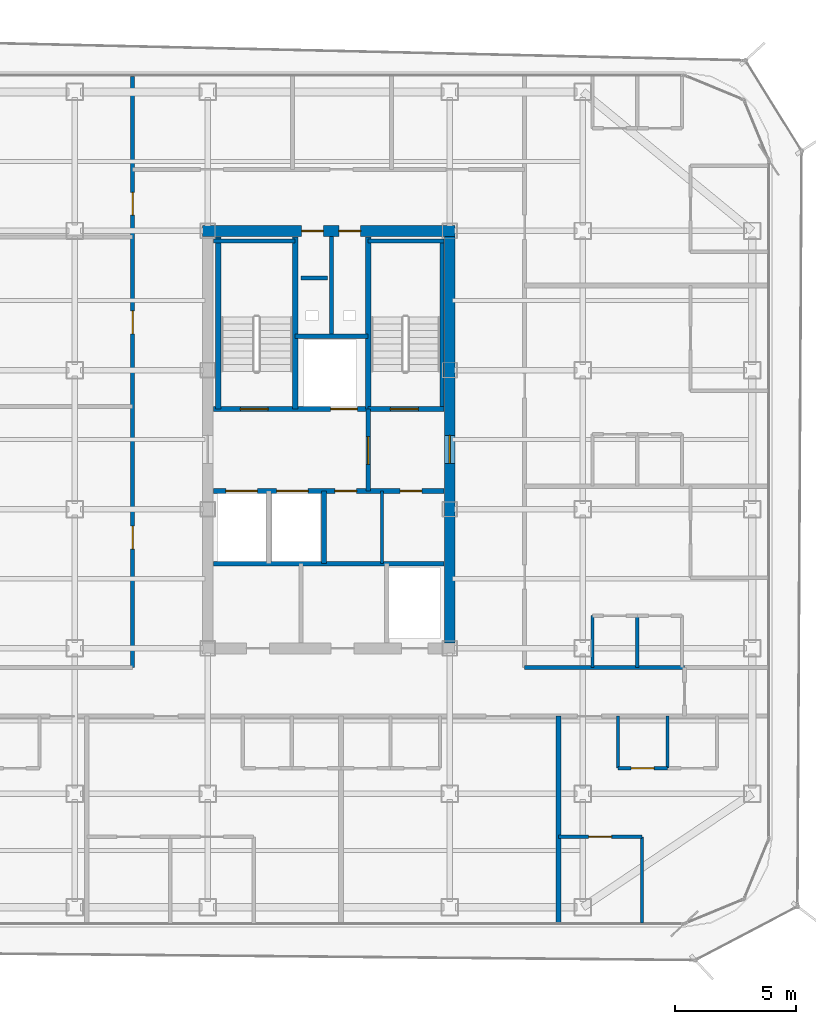
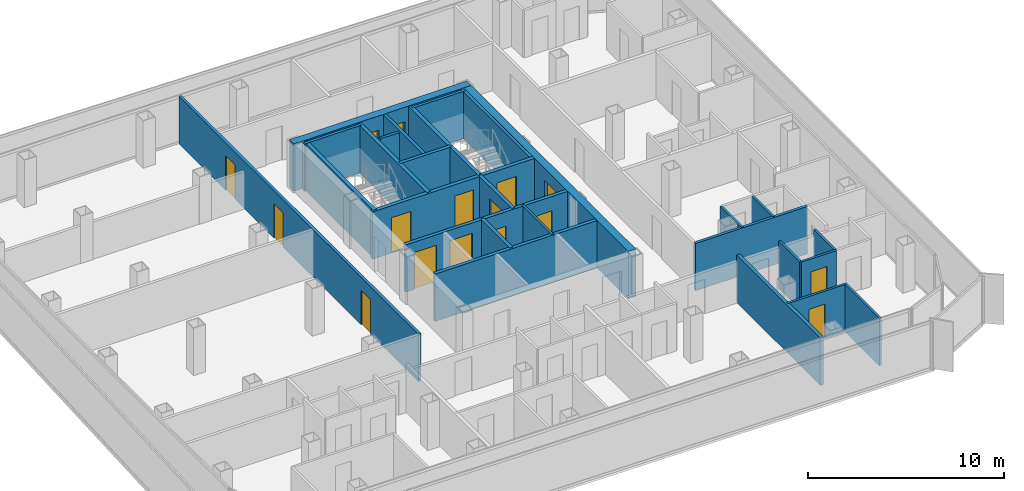
# One storey, part 11 of 16: 28 walls, 16 doors, 16 openings.
"""IFC4 building model written with IfcOpenShell, lengths in metres."""

from ifc_helpers import new_model, si_unit, direction, frame, frame_2d, origin, place, context, subcontext, project, spatial, rectangle, extrude, material, layer, layer_set, type_object, element, fill, save


model = new_model("IFC4")

# Units and contexts
model_context = context("Model", 3, precision=1e-05, world=origin(), true_north=direction((0.0, 1.0)))
body_context = subcontext(model_context, "Body", "Model", "MODEL_VIEW")
ifc_project = project(units=[si_unit("LENGTHUNIT", "METRE"), si_unit("AREAUNIT", "SQUARE_METRE"), si_unit("VOLUMEUNIT", "CUBIC_METRE"), si_unit("PLANEANGLEUNIT", "RADIAN"), si_unit("MASSUNIT", "GRAM", prefix="KILO")], contexts=[model_context])

# Site, building, storey
site_placement = place(None, origin())
site = spatial("IfcSite", under=ifc_project, at=site_placement, CompositionType="ELEMENT")
building_placement = place(site_placement, origin())
building = spatial("IfcBuilding", under=site, at=building_placement, Name="Kolveth Station Tower", CompositionType="ELEMENT")
storey_placement = place(building_placement, frame((0.0, 0.0, 178.5)))
storey = spatial("IfcBuildingStorey", under=building, at=storey_placement, Name="L50", CompositionType="ELEMENT", Elevation=178.5)

# Wall, openings, doors
ifc_material_1 = material(Name="Concrete C50/60", Category="concrete")
ifc_layer_1 = layer(ifc_material_1, 0.449951171875)
ifc_layer_set_1 = layer_set([ifc_layer_1], Name="Concrete C50/60")
wall_type_1 = type_object("IfcWallType", Name="Wall_CW-450", PredefinedType="SHEAR", material=ifc_layer_set_1)
wall_1_placement = place(storey_placement, frame((18.27490234375, 28.75, 0.0), z_axis=(0.0, 0.0, 1.0), x_axis=(1.0, 0.0, 0.0)))
wall_1 = element("IfcWall", 1, at=wall_1_placement, inside=storey, type_object=wall_type_1, Name="L50 Core RC Shear Wall N", PredefinedType="SHEAR", context=body_context, shape_type="SweptSolid", body=[
    extrude(rectangle(XDim=10.4501953125, YDim=0.449951171875, at=frame_2d((5.22509765625, 0.0))), origin(), (0.0, 0.0, 1.0), 2.949951171875),
])
opening_1_placement = place(wall_1_placement, frame((4.10498046875, 0.0, 0.0)))
opening_1 = element("IfcOpeningElement", 2, at=opening_1_placement, cuts=wall_1, Name="Opening RD1", PredefinedType="OPENING", context=body_context, shape_type="SweptSolid", body=[
    extrude(rectangle(XDim=0.89990234375, YDim=2.050048828125, at=frame_2d((0.449951171875, 1.02490234375))), frame((0.0, 0.23486328125, 0.0), z_axis=(0.0, -1.0, 0.0), x_axis=(1.0, 0.0, 0.0)), (0.0, 0.0, 1.0), 0.469970703125),
])
opening_2_placement = place(wall_1_placement, frame((5.64501953125, 0.0, 0.0)))
opening_2 = element("IfcOpeningElement", 3, at=opening_2_placement, cuts=wall_1, Name="Opening RD1", PredefinedType="OPENING", context=body_context, shape_type="SweptSolid", body=[
    extrude(rectangle(XDim=0.89990234375, YDim=2.050048828125, at=frame_2d((0.449951171875, 1.02490234375))), frame((0.0, 0.23486328125, 0.0), z_axis=(0.0, -1.0, 0.0), x_axis=(1.0, 0.0, 0.0)), (0.0, 0.0, 1.0), 0.469970703125),
])
ifc_material_2 = material(Name="Fire-rated Steel S355 riser access leaf", Category="steel")
door_type_1 = type_object("IfcDoorType", Name="Door_RD1", OperationType="NOTDEFINED", PredefinedType="DOOR", material=ifc_material_2)
door_1_placement = place(opening_1_placement, origin())
door_1 = element("IfcDoor", 4, at=door_1_placement, inside=storey, type_object=door_type_1, Name="L50 Electrical Riser Access Door", OperationType="SINGLE_SWING_LEFT", OverallHeight=2.050048828125, OverallWidth=0.89990234375, PredefinedType="DOOR", context=body_context, shape_type="SweptSolid", body=[
    extrude(rectangle(XDim=0.89990234375, YDim=2.050048828125, at=frame_2d((0.449951171875, 1.02490234375))), frame((0.0, 0.02490234375, 0.0), z_axis=(0.0, -1.0, 0.0), x_axis=(1.0, 0.0, 0.0)), (0.0, 0.0, 1.0), 0.050048828125),
])
fill(opening_1, door_1)
door_2_placement = place(opening_2_placement, origin())
door_2 = element("IfcDoor", 5, at=door_2_placement, inside=storey, type_object=door_type_1, Name="L50 Smoke Duct Access Door", OperationType="SINGLE_SWING_RIGHT", OverallHeight=2.050048828125, OverallWidth=0.89990234375, PredefinedType="DOOR", context=body_context, shape_type="SweptSolid", body=[
    extrude(rectangle(XDim=0.89990234375, YDim=2.050048828125, at=frame_2d((0.449951171875, 1.02490234375))), frame((0.0, 0.02490234375, 0.0), z_axis=(0.0, -1.0, 0.0), x_axis=(1.0, 0.0, 0.0)), (0.0, 0.0, 1.0), 0.050048828125),
])
fill(opening_2, door_2)

# Wall, opening, door
wall_2_placement = place(storey_placement, frame((28.5, 11.72509765625, 0.0), z_axis=(0.0, 0.0, 1.0), x_axis=(0.0, 1.0, 0.0)))
wall_2 = element("IfcWall", 6, at=wall_2_placement, inside=storey, type_object=wall_type_1, Name="L50 Core RC Shear Wall E", PredefinedType="SHEAR", context=body_context, shape_type="SweptSolid", body=[
    extrude(rectangle(XDim=16.7998046875, YDim=0.449951171875, at=frame_2d((8.39990234375, 0.0))), origin(), (0.0, 0.0, 1.0), 2.949951171875),
])
opening_3_placement = place(wall_2_placement, frame((7.425048828125, 0.0, 0.0)))
opening_3 = element("IfcOpeningElement", 7, at=opening_3_placement, cuts=wall_2, Name="Opening FD1", PredefinedType="OPENING", context=body_context, shape_type="SweptSolid", body=[
    extrude(rectangle(XDim=1.14990234375, YDim=2.199951171875, at=frame_2d((0.574951171875, 1.10009765625))), frame((0.0, 0.23486328125, 0.0), z_axis=(0.0, -1.0, 0.0), x_axis=(1.0, 0.0, 0.0)), (0.0, 0.0, 1.0), 0.469970703125),
])
ifc_material_3 = material(Name="Fire-rated Steel S355 leaf and frame", Category="steel")
door_type_2 = type_object("IfcDoorType", Name="Door_FD1", OperationType="NOTDEFINED", PredefinedType="DOOR", material=ifc_material_3)
door_3_placement = place(opening_3_placement, origin())
door_3 = element("IfcDoor", 8, at=door_3_placement, inside=storey, type_object=door_type_2, Name="L50 East Corridor to Stair Lobby Door", OperationType="SINGLE_SWING_LEFT", OverallHeight=2.199951171875, OverallWidth=1.14990234375, PredefinedType="DOOR", context=body_context, shape_type="SweptSolid", body=[
    extrude(rectangle(XDim=1.14990234375, YDim=2.199951171875, at=frame_2d((0.574951171875, 1.10009765625))), frame((0.0, 0.02490234375, 0.0), z_axis=(0.0, -1.0, 0.0), x_axis=(1.0, 0.0, 0.0)), (0.0, 0.0, 1.0), 0.050048828125),
])
fill(opening_3, door_3)

# Wall
ifc_material_4 = material(Name="Moisture-resistant gypsum partition")
ifc_layer_2 = layer(ifc_material_4, 0.135009765625)
ifc_layer_set_2 = layer_set([ifc_layer_2], Name="Moisture-resistant gypsum partition")
wall_type_2 = type_object("IfcWallType", Name="Wall_IW-135", PredefinedType="PARTITIONING", material=ifc_layer_set_2)
wall_3_placement = place(storey_placement, frame((25.699951171875, 15.0, 0.0), z_axis=(0.0, 0.0, 1.0), x_axis=(0.0, 1.0, 0.0)))
element("IfcWall", 9, at=wall_3_placement, inside=storey, type_object=wall_type_2, Name="L50 Partition Wall WL-L50-CB-V1", PredefinedType="PARTITIONING", context=body_context, shape_type="SweptSolid", body=[
    extrude(rectangle(XDim=3.0, YDim=0.135009765625, at=frame_2d((1.5, 0.0))), origin(), (0.0, 0.0, 1.0), 2.949951171875),
])

# Wall, opening, door
wall_4_placement = place(storey_placement, frame((35.449951171875, 6.550048828125, 0.0), z_axis=(0.0, 0.0, 1.0), x_axis=(1.0, 0.0, 0.0)))
wall_4 = element("IfcWall", 10, at=wall_4_placement, inside=storey, type_object=wall_type_2, Name="L50 Partition Wall WL-L50-A4-IBHK", PredefinedType="PARTITIONING", context=body_context, shape_type="SweptSolid", body=[
    extrude(rectangle(XDim=2.050048828125, YDim=0.135009765625, at=frame_2d((1.02490234375, 0.0))), origin(), (0.0, 0.0, 1.0), 2.949951171875),
])
opening_4_placement = place(wall_4_placement, frame((0.544921875, 0.0, 0.0)))
opening_4 = element("IfcOpeningElement", 11, at=opening_4_placement, cuts=wall_4, Name="Opening ID1", PredefinedType="OPENING", context=body_context, shape_type="SweptSolid", body=[
    extrude(rectangle(XDim=0.949951171875, YDim=2.14990234375, at=frame_2d((0.47509765625, 1.074951171875))), frame((0.0, 0.077392578125, 0.0), z_axis=(0.0, -1.0, 0.0), x_axis=(1.0, 0.0, 0.0)), (0.0, 0.0, 1.0), 0.155029296875),
])
ifc_material_5 = material(Name="Acoustic hardwood leaf and aluminium frame", Category="wood")
door_type_3 = type_object("IfcDoorType", Name="Door_ID1", OperationType="NOTDEFINED", PredefinedType="DOOR", material=ifc_material_5)
door_4_placement = place(opening_4_placement, origin())
door_4 = element("IfcDoor", 12, at=door_4_placement, inside=storey, type_object=door_type_3, Name="Flat L50-A4 Kitchen Door", OperationType="SINGLE_SWING_LEFT", OverallHeight=2.14990234375, OverallWidth=0.949951171875, PredefinedType="DOOR", context=body_context, shape_type="SweptSolid", body=[
    extrude(rectangle(XDim=0.949951171875, YDim=2.14990234375, at=frame_2d((0.47509765625, 1.074951171875))), frame((0.0, 0.02490234375, 0.0), z_axis=(0.0, -1.0, 0.0), x_axis=(1.0, 0.0, 0.0)), (0.0, 0.0, 1.0), 0.050048828125),
])
fill(opening_4, door_4)

# Walls
for number, where, z_axis, x_axis, name in (
    (13, (35.449951171875, 6.550048828125, 0.0), (0.0, 0.0, 1.0), (0.0, 1.0, 0.0), "L50 Partition Wall WL-L50-A4-IBV0"),
    (14, (37.5, 6.550048828125, 0.0), (0.0, 0.0, 1.0), (0.0, 1.0, 0.0), "L50 Partition Wall WL-L50-A4-IBV1"),
):
    element("IfcWall", number, at=place(storey_placement, frame(where, z_axis=z_axis, x_axis=x_axis)), inside=storey, type_object=wall_type_2, Name=name, PredefinedType="PARTITIONING", context=body_context, shape_type="SweptSolid", body=[
        extrude(rectangle(XDim=2.14990234375, YDim=0.135009765625, at=frame_2d((1.074951171875, 0.0))), origin(), (0.0, 0.0, 1.0), 2.949951171875),
    ])
wall_5_placement = place(storey_placement, frame((36.449951171875, 0.159912109375, 0.0), z_axis=(0.0, 0.0, 1.0), x_axis=(0.0, 1.0, 0.0)))
element("IfcWall", 15, at=wall_5_placement, inside=storey, type_object=wall_type_2, Name="L50 Partition Wall WL-L50-A4-BDVE", PredefinedType="PARTITIONING", context=body_context, shape_type="SweptSolid", body=[
    extrude(rectangle(XDim=3.550048828125, YDim=0.135009765625, at=frame_2d((1.77490234375, 0.0))), origin(), (0.0, 0.0, 1.0), 2.949951171875),
])

# Wall, opening, door
wall_6_placement = place(storey_placement, frame((33.0, 3.7099609375, 0.0), z_axis=(0.0, 0.0, 1.0), x_axis=(1.0, 0.0, 0.0)))
wall_6 = element("IfcWall", 16, at=wall_6_placement, inside=storey, type_object=wall_type_2, Name="L50 Partition Wall WL-L50-A4-BDH1", PredefinedType="PARTITIONING", context=body_context, shape_type="SweptSolid", body=[
    extrude(rectangle(XDim=3.449951171875, YDim=0.135009765625, at=frame_2d((1.72509765625, 0.0))), origin(), (0.0, 0.0, 1.0), 2.949951171875),
])
opening_5_placement = place(wall_6_placement, frame((1.2451171875, 0.0, 0.0)))
opening_5 = element("IfcOpeningElement", 17, at=opening_5_placement, cuts=wall_6, Name="Opening ID1", PredefinedType="OPENING", context=body_context, shape_type="SweptSolid", body=[
    extrude(rectangle(XDim=0.949951171875, YDim=2.14990234375, at=frame_2d((0.47509765625, 1.074951171875))), frame((0.0, 0.077392578125, 0.0), z_axis=(0.0, -1.0, 0.0), x_axis=(1.0, 0.0, 0.0)), (0.0, 0.0, 1.0), 0.155029296875),
])
door_5_placement = place(opening_5_placement, frame((0.949951171875, 0.0, 0.0), z_axis=(0.0, 0.0, 1.0), x_axis=(-1.0, 0.0, 0.0)))
door_5 = element("IfcDoor", 18, at=door_5_placement, inside=storey, type_object=door_type_3, Name="Flat L50-A4 Bedroom 1 Door", OperationType="SINGLE_SWING_LEFT", OverallHeight=2.14990234375, OverallWidth=0.949951171875, PredefinedType="DOOR", context=body_context, shape_type="SweptSolid", body=[
    extrude(rectangle(XDim=0.949951171875, YDim=2.14990234375, at=frame_2d((0.47509765625, 1.074951171875))), frame((0.0, 0.02490234375, 0.0), z_axis=(0.0, -1.0, 0.0), x_axis=(1.0, 0.0, 0.0)), (0.0, 0.0, 1.0), 0.050048828125),
])
fill(opening_5, door_5)

# Walls
for number, where, z_axis, x_axis, name in (
    (19, (34.39990234375, 10.699951171875, 0.0), (0.0, 0.0, 1.0), (0.0, 1.0, 0.0), "L50 Partition Wall WL-L50-E1-IBV0"),
    (20, (36.25, 10.699951171875, 0.0), (0.0, 0.0, 1.0), (0.0, 1.0, 0.0), "L50 Partition Wall WL-L50-E1-IBV1"),
):
    element("IfcWall", number, at=place(storey_placement, frame(where, z_axis=z_axis, x_axis=x_axis)), inside=storey, type_object=wall_type_2, Name=name, PredefinedType="PARTITIONING", context=body_context, shape_type="SweptSolid", body=[
        extrude(rectangle(XDim=2.150146484375, YDim=0.135009765625, at=frame_2d((1.0751953125, 0.0))), origin(), (0.0, 0.0, 1.0), 2.949951171875),
    ])
ifc_material_6 = material(Name="Acoustic double-stud gypsum partition")
ifc_layer_3 = layer(ifc_material_6, 0.1650390625)
ifc_layer_set_3 = layer_set([ifc_layer_3], Name="Acoustic double-stud gypsum partition")
wall_type_3 = type_object("IfcWallType", Name="Wall_IW-165", PredefinedType="PARTITIONING", material=ifc_layer_set_3)
wall_7_placement = place(storey_placement, frame((18.735107421875, 28.3349609375, 0.0), z_axis=(0.0, 0.0, 1.0), x_axis=(1.0, 0.0, 0.0)))
element("IfcWall", 21, at=wall_7_placement, inside=storey, type_object=wall_type_3, Name="L50 Stair Shaft Wall WL-L50-ST1-N", PredefinedType="PARTITIONING", context=body_context, shape_type="SweptSolid", body=[
    extrude(rectangle(XDim=3.375, YDim=0.1650390625, at=frame_2d((1.6875, 0.0))), origin(), (0.0, 0.0, 1.0), 2.949951171875),
])
wall_8_placement = place(storey_placement, frame((25.1298828125, 28.3349609375, 0.0), z_axis=(0.0, 0.0, 1.0), x_axis=(1.0, 0.0, 0.0)))
element("IfcWall", 22, at=wall_8_placement, inside=storey, type_object=wall_type_3, Name="L50 Stair Shaft Wall WL-L50-ST2-N", PredefinedType="PARTITIONING", context=body_context, shape_type="SweptSolid", body=[
    extrude(rectangle(XDim=3.135009765625, YDim=0.1650390625, at=frame_2d((1.5673828125, 0.0))), origin(), (0.0, 0.0, 1.0), 2.949951171875),
])
wall_9_placement = place(storey_placement, frame((28.1826171875, 21.389892578125, 0.0), z_axis=(0.0, 0.0, 1.0), x_axis=(0.0, 1.0, 0.0)))
element("IfcWall", 23, at=wall_9_placement, inside=storey, type_object=wall_type_3, Name="L50 Stair Shaft Wall WL-L50-ST2-E", PredefinedType="PARTITIONING", context=body_context, shape_type="SweptSolid", body=[
    extrude(rectangle(XDim=6.945068359375, YDim=0.1650390625, at=frame_2d((3.47265625, 0.0))), origin(), (0.0, 0.0, 1.0), 2.949951171875),
])
wall_10_placement = place(storey_placement, frame((23.6201171875, 24.39990234375, 0.0), z_axis=(0.0, 0.0, 1.0), x_axis=(0.0, 1.0, 0.0)))
element("IfcWall", 24, at=wall_10_placement, inside=storey, type_object=wall_type_3, Name="L50 Partition Wall WL-L50-RSR-M", PredefinedType="PARTITIONING", context=body_context, shape_type="SweptSolid", body=[
    extrude(rectangle(XDim=4.114990234375, YDim=0.1650390625, at=frame_2d((2.0576171875, 0.0))), origin(), (0.0, 0.0, 1.0), 2.949951171875),
])
wall_11_placement = place(storey_placement, frame((31.60009765625, 10.699951171875, 0.0), z_axis=(0.0, 0.0, 1.0), x_axis=(1.0, 0.0, 0.0)))
element("IfcWall", 25, at=wall_11_placement, inside=storey, type_object=wall_type_3, Name="L50 Partition Wall WL-L50-RSET", PredefinedType="PARTITIONING", context=body_context, shape_type="SweptSolid", body=[
    extrude(rectangle(XDim=6.599853515625, YDim=0.1650390625, at=frame_2d((3.2998046875, 0.0))), origin(), (0.0, 0.0, 1.0), 2.949951171875),
])

# Wall, openings, doors
wall_12_placement = place(storey_placement, frame((15.39990234375, 10.699951171875, 0.0), z_axis=(0.0, 0.0, 1.0), x_axis=(0.0, 1.0, 0.0)))
wall_12 = element("IfcWall", 26, at=wall_12_placement, inside=storey, type_object=wall_type_3, Name="L50 Partition Wall WL-L50-RW", PredefinedType="PARTITIONING", context=body_context, shape_type="SweptSolid", body=[
    extrude(rectangle(XDim=24.43994140625, YDim=0.1650390625, at=frame_2d((12.219970703125, 0.0))), origin(), (0.0, 0.0, 1.0), 2.949951171875),
])
opening_6_placement = place(wall_12_placement, frame((4.89990234375, 0.0, 0.0)))
opening_6 = element("IfcOpeningElement", 27, at=opening_6_placement, cuts=wall_12, Name="Opening ID1", PredefinedType="OPENING", context=body_context, shape_type="SweptSolid", body=[
    extrude(rectangle(XDim=0.949951171875, YDim=2.14990234375, at=frame_2d((0.47509765625, 1.074951171875))), frame((0.0, 0.092529296875, 0.0), z_axis=(0.0, -1.0, 0.0), x_axis=(1.0, 0.0, 0.0)), (0.0, 0.0, 1.0), 0.18505859375),
])
opening_7_placement = place(wall_12_placement, frame((13.800048828125, 0.0, 0.0)))
opening_7 = element("IfcOpeningElement", 28, at=opening_7_placement, cuts=wall_12, Name="Opening ID1", PredefinedType="OPENING", context=body_context, shape_type="SweptSolid", body=[
    extrude(rectangle(XDim=0.949951171875, YDim=2.14990234375, at=frame_2d((0.47509765625, 1.074951171875))), frame((0.0, 0.092529296875, 0.0), z_axis=(0.0, -1.0, 0.0), x_axis=(1.0, 0.0, 0.0)), (0.0, 0.0, 1.0), 0.18505859375),
])
opening_8_placement = place(wall_12_placement, frame((18.699951171875, 0.0, 0.0)))
opening_8 = element("IfcOpeningElement", 29, at=opening_8_placement, cuts=wall_12, Name="Opening ID1", PredefinedType="OPENING", context=body_context, shape_type="SweptSolid", body=[
    extrude(rectangle(XDim=0.949951171875, YDim=2.14990234375, at=frame_2d((0.47509765625, 1.074951171875))), frame((0.0, 0.092529296875, 0.0), z_axis=(0.0, -1.0, 0.0), x_axis=(1.0, 0.0, 0.0)), (0.0, 0.0, 1.0), 0.18505859375),
])
door_6_placement = place(opening_6_placement, frame((0.949951171875, 0.0, 0.0), z_axis=(0.0, 0.0, 1.0), x_axis=(-1.0, 0.0, 0.0)))
door_6 = element("IfcDoor", 30, at=door_6_placement, inside=storey, type_object=door_type_3, Name="L50 Residents' Club Lounge Door", OperationType="SINGLE_SWING_LEFT", OverallHeight=2.14990234375, OverallWidth=0.949951171875, PredefinedType="DOOR", context=body_context, shape_type="SweptSolid", body=[
    extrude(rectangle(XDim=0.949951171875, YDim=2.14990234375, at=frame_2d((0.47509765625, 1.074951171875))), frame((0.0, 0.02490234375, 0.0), z_axis=(0.0, -1.0, 0.0), x_axis=(1.0, 0.0, 0.0)), (0.0, 0.0, 1.0), 0.050048828125),
])
fill(opening_6, door_6)
door_7_placement = place(opening_7_placement, frame((0.949951171875, 0.0, 0.0), z_axis=(0.0, 0.0, 1.0), x_axis=(-1.0, 0.0, 0.0)))
door_7 = element("IfcDoor", 31, at=door_7_placement, inside=storey, type_object=door_type_3, Name="L50 Residents' Screening Room Door", OperationType="SINGLE_SWING_RIGHT", OverallHeight=2.14990234375, OverallWidth=0.949951171875, PredefinedType="DOOR", context=body_context, shape_type="SweptSolid", body=[
    extrude(rectangle(XDim=0.949951171875, YDim=2.14990234375, at=frame_2d((0.47509765625, 1.074951171875))), frame((0.0, 0.02490234375, 0.0), z_axis=(0.0, -1.0, 0.0), x_axis=(1.0, 0.0, 0.0)), (0.0, 0.0, 1.0), 0.050048828125),
])
fill(opening_7, door_7)
door_8_placement = place(opening_8_placement, frame((0.949951171875, 0.0, 0.0), z_axis=(0.0, 0.0, 1.0), x_axis=(-1.0, 0.0, 0.0)))
door_8 = element("IfcDoor", 32, at=door_8_placement, inside=storey, type_object=door_type_3, Name="L50 Club Servery Pantry Door", OperationType="SINGLE_SWING_LEFT", OverallHeight=2.14990234375, OverallWidth=0.949951171875, PredefinedType="DOOR", context=body_context, shape_type="SweptSolid", body=[
    extrude(rectangle(XDim=0.949951171875, YDim=2.14990234375, at=frame_2d((0.47509765625, 1.074951171875))), frame((0.0, 0.02490234375, 0.0), z_axis=(0.0, -1.0, 0.0), x_axis=(1.0, 0.0, 0.0)), (0.0, 0.0, 1.0), 0.050048828125),
])
fill(opening_8, door_8)

# Walls
wall_13_placement = place(storey_placement, frame((22.35009765625, 26.800048828125, 0.0), z_axis=(0.0, 0.0, 1.0), x_axis=(1.0, 0.0, 0.0)))
element("IfcWall", 33, at=wall_13_placement, inside=storey, type_object=wall_type_3, Name="L50 Acoustic Riser Dry-Lining Wall", PredefinedType="PARTITIONING", context=body_context, shape_type="SweptSolid", body=[
    extrude(rectangle(XDim=1.099853515625, YDim=0.1650390625, at=frame_2d((0.5498046875, 0.0))), origin(), (0.0, 0.0, 1.0), 2.949951171875),
])
ifc_material_7 = material(Name="Acoustic fire-rated gypsum blockwork", Category="masonry")
ifc_layer_4 = layer(ifc_material_7, 0.199951171875)
ifc_layer_set_4 = layer_set([ifc_layer_4], Name="Acoustic fire-rated gypsum blockwork")
wall_type_4 = type_object("IfcWallType", Name="Wall_IW-200", PredefinedType="PARTITIONING", material=ifc_layer_set_4)
wall_14_placement = place(storey_placement, frame((22.110107421875, 24.39990234375, 0.0), z_axis=(0.0, 0.0, 1.0), x_axis=(1.0, 0.0, 0.0)))
element("IfcWall", 34, at=wall_14_placement, inside=storey, type_object=wall_type_4, Name="L50 Partition Wall WL-L50-RSR-S", PredefinedType="PARTITIONING", context=body_context, shape_type="SweptSolid", body=[
    extrude(rectangle(XDim=3.019775390625, YDim=0.199951171875, at=frame_2d((1.509765625, 0.0))), origin(), (0.0, 0.0, 1.0), 2.949951171875),
])

# Wall, opening, door
wall_15_placement = place(storey_placement, frame((25.1298828125, 18.0, 0.0), z_axis=(0.0, 0.0, 1.0), x_axis=(0.0, 1.0, 0.0)))
wall_15 = element("IfcWall", 35, at=wall_15_placement, inside=storey, type_object=wall_type_4, Name="L50 Partition Wall WL-L50-FFL-E", PredefinedType="PARTITIONING", context=body_context, shape_type="SweptSolid", body=[
    extrude(rectangle(XDim=3.389892578125, YDim=0.199951171875, at=frame_2d((1.69482421875, 0.0))), origin(), (0.0, 0.0, 1.0), 2.949951171875),
])
opening_9_placement = place(wall_15_placement, frame((1.10009765625, 0.0, 0.0)))
opening_9 = element("IfcOpeningElement", 36, at=opening_9_placement, cuts=wall_15, Name="Opening FD1", PredefinedType="OPENING", context=body_context, shape_type="SweptSolid", body=[
    extrude(rectangle(XDim=1.14990234375, YDim=2.199951171875, at=frame_2d((0.574951171875, 1.10009765625))), frame((0.0, 0.10986328125, 0.0), z_axis=(0.0, -1.0, 0.0), x_axis=(1.0, 0.0, 0.0)), (0.0, 0.0, 1.0), 0.219970703125),
])
door_9_placement = place(opening_9_placement, origin())
door_9 = element("IfcDoor", 37, at=door_9_placement, inside=storey, type_object=door_type_2, Name="L50 Firefighting to Stair Lobby Door", OperationType="SINGLE_SWING_RIGHT", OverallHeight=2.199951171875, OverallWidth=1.14990234375, PredefinedType="DOOR", context=body_context, shape_type="SweptSolid", body=[
    extrude(rectangle(XDim=1.14990234375, YDim=2.199951171875, at=frame_2d((0.574951171875, 1.10009765625))), frame((0.0, 0.02490234375, 0.0), z_axis=(0.0, -1.0, 0.0), x_axis=(1.0, 0.0, 0.0)), (0.0, 0.0, 1.0), 0.050048828125),
])
fill(opening_9, door_9)

# Wall, openings, doors
wall_16_placement = place(storey_placement, frame((18.735107421875, 18.0, 0.0), z_axis=(0.0, 0.0, 1.0), x_axis=(1.0, 0.0, 0.0)))
wall_16 = element("IfcWall", 38, at=wall_16_placement, inside=storey, type_object=wall_type_4, Name="L50 Partition Wall WL-L50-FFL-S", PredefinedType="PARTITIONING", context=body_context, shape_type="SweptSolid", body=[
    extrude(rectangle(XDim=9.52978515625, YDim=0.199951171875, at=frame_2d((4.764892578125, 0.0))), origin(), (0.0, 0.0, 1.0), 2.949951171875),
])
opening_10_placement = place(wall_16_placement, frame((0.514892578125, 0.0, 0.0)))
opening_10 = element("IfcOpeningElement", 39, at=opening_10_placement, cuts=wall_16, Name="Opening LD2", PredefinedType="OPENING", context=body_context, shape_type="SweptSolid", body=[
    extrude(rectangle(XDim=1.300048828125, YDim=2.300048828125, at=frame_2d((0.64990234375, 1.14990234375))), frame((0.0, 0.10986328125, 0.0), z_axis=(0.0, -1.0, 0.0), x_axis=(1.0, 0.0, 0.0)), (0.0, 0.0, 1.0), 0.219970703125),
])
opening_11_placement = place(wall_16_placement, frame((2.614990234375, 0.0, 0.0)))
opening_11 = element("IfcOpeningElement", 40, at=opening_11_placement, cuts=wall_16, Name="Opening LD2", PredefinedType="OPENING", context=body_context, shape_type="SweptSolid", body=[
    extrude(rectangle(XDim=1.300048828125, YDim=2.300048828125, at=frame_2d((0.64990234375, 1.14990234375))), frame((0.0, 0.10986328125, 0.0), z_axis=(0.0, -1.0, 0.0), x_axis=(1.0, 0.0, 0.0)), (0.0, 0.0, 1.0), 0.219970703125),
])
opening_12_placement = place(wall_16_placement, frame((5.014892578125, 0.0, 0.0)))
opening_12 = element("IfcOpeningElement", 41, at=opening_12_placement, cuts=wall_16, Name="Opening RD1", PredefinedType="OPENING", context=body_context, shape_type="SweptSolid", body=[
    extrude(rectangle(XDim=0.89990234375, YDim=2.050048828125, at=frame_2d((0.449951171875, 1.02490234375))), frame((0.0, 0.10986328125, 0.0), z_axis=(0.0, -1.0, 0.0), x_axis=(1.0, 0.0, 0.0)), (0.0, 0.0, 1.0), 0.219970703125),
])
opening_13_placement = place(wall_16_placement, frame((7.715087890625, 0.0, 0.0)))
opening_13 = element("IfcOpeningElement", 42, at=opening_13_placement, cuts=wall_16, Name="Opening RD1", PredefinedType="OPENING", context=body_context, shape_type="SweptSolid", body=[
    extrude(rectangle(XDim=0.89990234375, YDim=2.050048828125, at=frame_2d((0.449951171875, 1.02490234375))), frame((0.0, 0.10986328125, 0.0), z_axis=(0.0, -1.0, 0.0), x_axis=(1.0, 0.0, 0.0)), (0.0, 0.0, 1.0), 0.219970703125),
])
ifc_material_8 = material(Name="Firefighting stainless steel sliding landing doors", Category="steel")
door_type_4 = type_object("IfcDoorType", Name="Door_LD2", OperationType="NOTDEFINED", PredefinedType="DOOR", material=ifc_material_8)
door_10_placement = place(opening_10_placement, origin())
door_10 = element("IfcDoor", 43, at=door_10_placement, inside=storey, type_object=door_type_4, Name="L50 Firefighting Lift FF1 Landing Door", OperationType="DOUBLE_DOOR_SLIDING", OverallHeight=2.300048828125, OverallWidth=1.300048828125, PredefinedType="DOOR", context=body_context, shape_type="SweptSolid", body=[
    extrude(rectangle(XDim=1.300048828125, YDim=2.300048828125, at=frame_2d((0.64990234375, 1.14990234375))), frame((0.0, 0.02490234375, 0.0), z_axis=(0.0, -1.0, 0.0), x_axis=(1.0, 0.0, 0.0)), (0.0, 0.0, 1.0), 0.050048828125),
])
fill(opening_10, door_10)
door_11_placement = place(opening_11_placement, origin())
door_11 = element("IfcDoor", 44, at=door_11_placement, inside=storey, type_object=door_type_4, Name="L50 Firefighting Lift FF2 Landing Door", OperationType="DOUBLE_DOOR_SLIDING", OverallHeight=2.300048828125, OverallWidth=1.300048828125, PredefinedType="DOOR", context=body_context, shape_type="SweptSolid", body=[
    extrude(rectangle(XDim=1.300048828125, YDim=2.300048828125, at=frame_2d((0.64990234375, 1.14990234375))), frame((0.0, 0.02490234375, 0.0), z_axis=(0.0, -1.0, 0.0), x_axis=(1.0, 0.0, 0.0)), (0.0, 0.0, 1.0), 0.050048828125),
])
fill(opening_11, door_11)
door_12_placement = place(opening_12_placement, frame((0.89990234375, 0.0, 0.0), z_axis=(0.0, 0.0, 1.0), x_axis=(-1.0, 0.0, 0.0)))
door_12 = element("IfcDoor", 45, at=door_12_placement, inside=storey, type_object=door_type_1, Name="L50 Core Accessible WC Door", OperationType="SINGLE_SWING_LEFT", OverallHeight=2.050048828125, OverallWidth=0.89990234375, PredefinedType="DOOR", context=body_context, shape_type="SweptSolid", body=[
    extrude(rectangle(XDim=0.89990234375, YDim=2.050048828125, at=frame_2d((0.449951171875, 1.02490234375))), frame((0.0, 0.02490234375, 0.0), z_axis=(0.0, -1.0, 0.0), x_axis=(1.0, 0.0, 0.0)), (0.0, 0.0, 1.0), 0.050048828125),
])
fill(opening_12, door_12)
door_13_placement = place(opening_13_placement, frame((0.89990234375, 0.0, 0.0), z_axis=(0.0, 0.0, 1.0), x_axis=(-1.0, 0.0, 0.0)))
door_13 = element("IfcDoor", 46, at=door_13_placement, inside=storey, type_object=door_type_1, Name="L50 Core Cleaner Store Door", OperationType="SINGLE_SWING_RIGHT", OverallHeight=2.050048828125, OverallWidth=0.89990234375, PredefinedType="DOOR", context=body_context, shape_type="SweptSolid", body=[
    extrude(rectangle(XDim=0.89990234375, YDim=2.050048828125, at=frame_2d((0.449951171875, 1.02490234375))), frame((0.0, 0.02490234375, 0.0), z_axis=(0.0, -1.0, 0.0), x_axis=(1.0, 0.0, 0.0)), (0.0, 0.0, 1.0), 0.050048828125),
])
fill(opening_13, door_13)

# Walls
wall_17_placement = place(storey_placement, frame((23.300048828125, 15.0, 0.0), z_axis=(0.0, 0.0, 1.0), x_axis=(0.0, 1.0, 0.0)))
element("IfcWall", 47, at=wall_17_placement, inside=storey, type_object=wall_type_4, Name="L50 Partition Wall WL-L50-FF2E", PredefinedType="PARTITIONING", context=body_context, shape_type="SweptSolid", body=[
    extrude(rectangle(XDim=3.0, YDim=0.199951171875, at=frame_2d((1.5, 0.0))), origin(), (0.0, 0.0, 1.0), 2.949951171875),
])
wall_18_placement = place(storey_placement, frame((18.735107421875, 15.0, 0.0), z_axis=(0.0, 0.0, 1.0), x_axis=(1.0, 0.0, 0.0)))
element("IfcWall", 48, at=wall_18_placement, inside=storey, type_object=wall_type_4, Name="L50 Partition Wall WL-L50-BOH-S", PredefinedType="PARTITIONING", context=body_context, shape_type="SweptSolid", body=[
    extrude(rectangle(XDim=9.52978515625, YDim=0.199951171875, at=frame_2d((4.764892578125, 0.0))), origin(), (0.0, 0.0, 1.0), 2.949951171875),
])
wall_19_placement = place(storey_placement, frame((33.0, 0.159912109375, 0.0), z_axis=(0.0, 0.0, 1.0), x_axis=(0.0, 1.0, 0.0)))
element("IfcWall", 49, at=wall_19_placement, inside=storey, type_object=wall_type_4, Name="L50 Partition Wall WL-L50-RSU-3", PredefinedType="PARTITIONING", context=body_context, shape_type="SweptSolid", body=[
    extrude(rectangle(XDim=8.5400390625, YDim=0.199951171875, at=frame_2d((4.27001953125, 0.0))), origin(), (0.0, 0.0, 1.0), 2.949951171875),
])
ifc_material_9 = material(Name="Concrete C40/50", Category="concrete")
ifc_layer_5 = layer(ifc_material_9, 0.219970703125)
ifc_layer_set_5 = layer_set([ifc_layer_5], Name="Concrete C40/50")
wall_type_5 = type_object("IfcWallType", Name="Wall_IW-220", PredefinedType="SOLIDWALL", material=ifc_layer_set_5)
for number, where, z_axis, x_axis, name in (
    (50, (18.929931640625, 21.389892578125, 0.0), (0.0, 0.0, 1.0), (0.0, 1.0, 0.0), "L50 Stair Shaft Wall WL-L50-ST1-W"),
    (51, (22.110107421875, 21.389892578125, 0.0), (0.0, 0.0, 1.0), (0.0, 1.0, 0.0), "L50 Stair Shaft Wall WL-L50-ST1-E"),
    (52, (25.1298828125, 21.389892578125, 0.0), (0.0, 0.0, 1.0), (0.0, 1.0, 0.0), "L50 Stair Shaft Wall WL-L50-ST2-W"),
):
    element("IfcWall", number, at=place(storey_placement, frame(where, z_axis=z_axis, x_axis=x_axis)), inside=storey, type_object=wall_type_5, Name=name, PredefinedType="SOLIDWALL", context=body_context, shape_type="SweptSolid", body=[
        extrude(rectangle(XDim=7.110107421875, YDim=0.219970703125, at=frame_2d((3.55517578125, 0.0))), origin(), (0.0, 0.0, 1.0), 2.949951171875),
    ])

# Wall, openings, doors
wall_20_placement = place(storey_placement, frame((18.735107421875, 21.389892578125, 0.0), z_axis=(0.0, 0.0, 1.0), x_axis=(1.0, 0.0, 0.0)))
wall_20 = element("IfcWall", 53, at=wall_20_placement, inside=storey, type_object=wall_type_5, Name="L50 Stair Shaft Wall WL-L50-ST1-S", PredefinedType="SOLIDWALL", context=body_context, shape_type="SweptSolid", body=[
    extrude(rectangle(XDim=6.394775390625, YDim=0.219970703125, at=frame_2d((3.197265625, 0.0))), origin(), (0.0, 0.0, 1.0), 2.949951171875),
])
opening_14_placement = place(wall_20_placement, frame((1.114990234375, 0.0, 0.0)))
opening_14 = element("IfcOpeningElement", 54, at=opening_14_placement, cuts=wall_20, Name="Opening FD1", PredefinedType="OPENING", context=body_context, shape_type="SweptSolid", body=[
    extrude(rectangle(XDim=1.14990234375, YDim=2.199951171875, at=frame_2d((0.574951171875, 1.10009765625))), frame((0.0, 0.119873046875, 0.0), z_axis=(0.0, -1.0, 0.0), x_axis=(1.0, 0.0, 0.0)), (0.0, 0.0, 1.0), 0.239990234375),
])
opening_15_placement = place(wall_20_placement, frame((4.844970703125, 0.0, 0.0)))
opening_15 = element("IfcOpeningElement", 55, at=opening_15_placement, cuts=wall_20, Name="Opening LD1", PredefinedType="OPENING", context=body_context, shape_type="SweptSolid", body=[
    extrude(rectangle(XDim=1.10009765625, YDim=2.25, at=frame_2d((0.550048828125, 1.125))), frame((0.0, 0.119873046875, 0.0), z_axis=(0.0, -1.0, 0.0), x_axis=(1.0, 0.0, 0.0)), (0.0, 0.0, 1.0), 0.239990234375),
])
door_14_placement = place(opening_14_placement, frame((1.14990234375, 0.0, 0.0), z_axis=(0.0, 0.0, 1.0), x_axis=(-1.0, 0.0, 0.0)))
door_14 = element("IfcDoor", 56, at=door_14_placement, inside=storey, type_object=door_type_2, Name="L50 Stair ST1 Fire Door", OperationType="SINGLE_SWING_RIGHT", OverallHeight=2.199951171875, OverallWidth=1.14990234375, PredefinedType="DOOR", context=body_context, shape_type="SweptSolid", body=[
    extrude(rectangle(XDim=1.14990234375, YDim=2.199951171875, at=frame_2d((0.574951171875, 1.10009765625))), frame((0.0, 0.02490234375, 0.0), z_axis=(0.0, -1.0, 0.0), x_axis=(1.0, 0.0, 0.0)), (0.0, 0.0, 1.0), 0.050048828125),
])
fill(opening_14, door_14)
ifc_material_10 = material(Name="Brushed stainless steel sliding landing doors", Category="steel")
door_type_5 = type_object("IfcDoorType", Name="Door_LD1", OperationType="NOTDEFINED", PredefinedType="DOOR", material=ifc_material_10)
door_15_placement = place(opening_15_placement, frame((1.10009765625, 0.0, 0.0), z_axis=(0.0, 0.0, 1.0), x_axis=(-1.0, 0.0, 0.0)))
door_15 = element("IfcDoor", 57, at=door_15_placement, inside=storey, type_object=door_type_5, Name="L50 Service Lift SV1 Landing Door", OperationType="DOUBLE_DOOR_SLIDING", OverallHeight=2.25, OverallWidth=1.10009765625, PredefinedType="DOOR", context=body_context, shape_type="SweptSolid", body=[
    extrude(rectangle(XDim=1.10009765625, YDim=2.25, at=frame_2d((0.550048828125, 1.125))), frame((0.0, 0.02490234375, 0.0), z_axis=(0.0, -1.0, 0.0), x_axis=(1.0, 0.0, 0.0)), (0.0, 0.0, 1.0), 0.050048828125),
])
fill(opening_15, door_15)

# Wall, opening, door
wall_21_placement = place(storey_placement, frame((25.1298828125, 21.389892578125, 0.0), z_axis=(0.0, 0.0, 1.0), x_axis=(1.0, 0.0, 0.0)))
wall_21 = element("IfcWall", 58, at=wall_21_placement, inside=storey, type_object=wall_type_5, Name="L50 Stair Shaft Wall WL-L50-ST2-S", PredefinedType="SOLIDWALL", context=body_context, shape_type="SweptSolid", body=[
    extrude(rectangle(XDim=3.135009765625, YDim=0.219970703125, at=frame_2d((1.5673828125, 0.0))), origin(), (0.0, 0.0, 1.0), 2.949951171875),
])
opening_16_placement = place(wall_21_placement, frame((0.919921875, 0.0, 0.0)))
opening_16 = element("IfcOpeningElement", 59, at=opening_16_placement, cuts=wall_21, Name="Opening FD1", PredefinedType="OPENING", context=body_context, shape_type="SweptSolid", body=[
    extrude(rectangle(XDim=1.14990234375, YDim=2.199951171875, at=frame_2d((0.574951171875, 1.10009765625))), frame((0.0, 0.119873046875, 0.0), z_axis=(0.0, -1.0, 0.0), x_axis=(1.0, 0.0, 0.0)), (0.0, 0.0, 1.0), 0.239990234375),
])
door_16_placement = place(opening_16_placement, frame((1.14990234375, 0.0, 0.0), z_axis=(0.0, 0.0, 1.0), x_axis=(-1.0, 0.0, 0.0)))
door_16 = element("IfcDoor", 60, at=door_16_placement, inside=storey, type_object=door_type_2, Name="L50 Stair ST2 Fire Door", OperationType="SINGLE_SWING_LEFT", OverallHeight=2.199951171875, OverallWidth=1.14990234375, PredefinedType="DOOR", context=body_context, shape_type="SweptSolid", body=[
    extrude(rectangle(XDim=1.14990234375, YDim=2.199951171875, at=frame_2d((0.574951171875, 1.10009765625))), frame((0.0, 0.02490234375, 0.0), z_axis=(0.0, -1.0, 0.0), x_axis=(1.0, 0.0, 0.0)), (0.0, 0.0, 1.0), 0.050048828125),
])
fill(opening_16, door_16)

save(model, "model.ifc")
